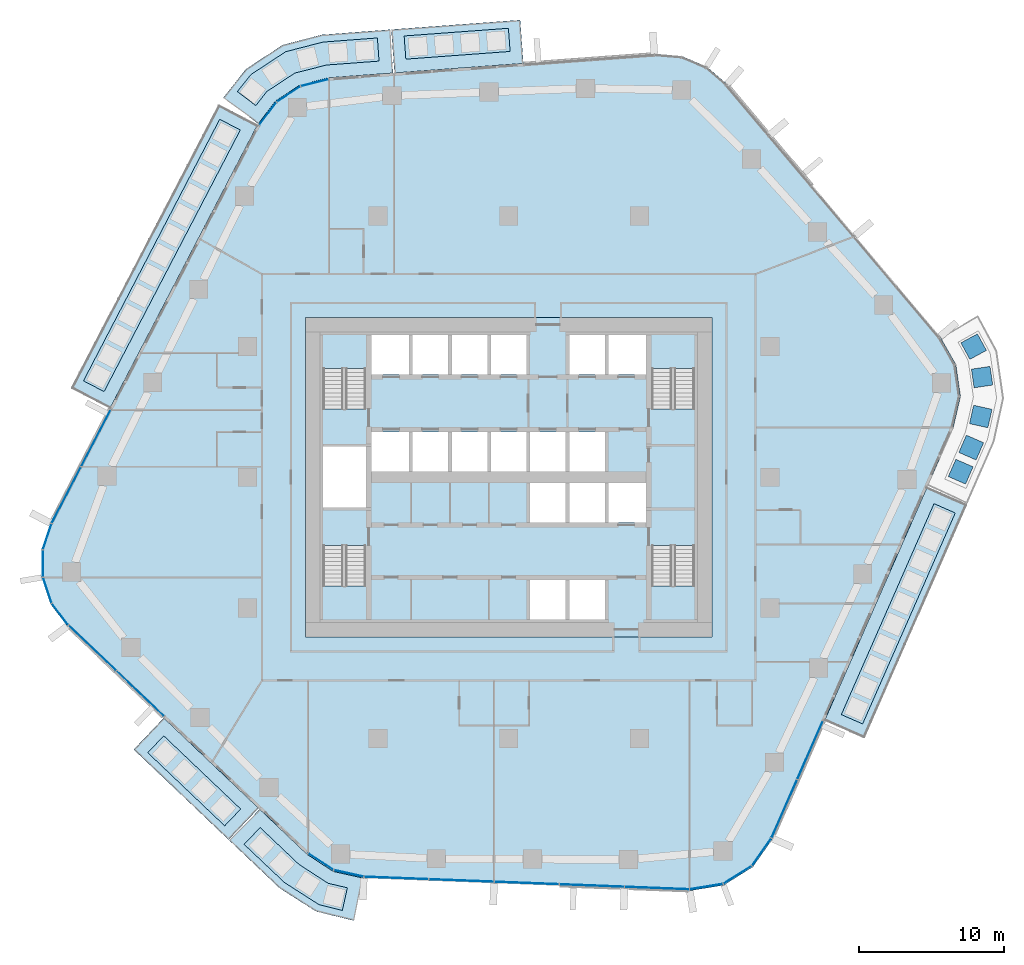
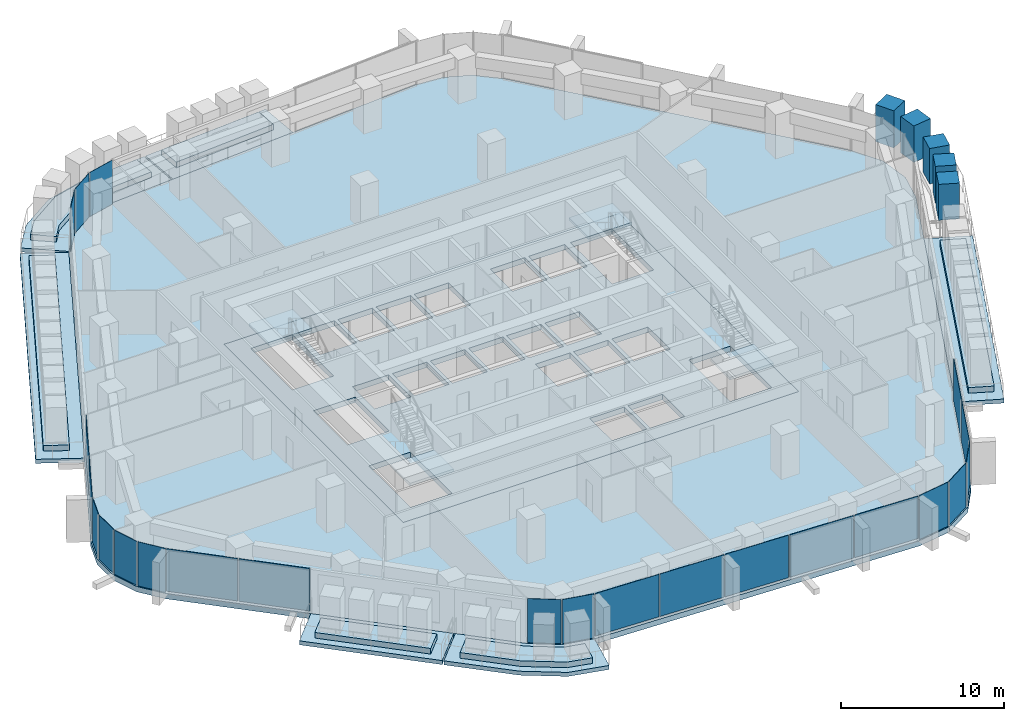
# One storey, part 10 of 23: 23 plates, 18 slabs, 5 members, 12 elements without a shape of their own.
"""IFC4 building model written with IfcOpenShell, lengths in metres."""

from ifc_helpers import new_model, si_unit, direction, frame, origin, origin_2d, place, context, subcontext, project, spatial, polyline, rectangle, outline, extrude, material, layer, layer_set, material_profile, profile_set, type_object, element, aggregate, save


model = new_model("IFC4")

# Units and contexts
model_context = context("Model", 3, precision=1e-05, world=origin(), true_north=direction((0.0, 1.0)))
body_context = subcontext(model_context, "Body", "Model", "MODEL_VIEW")
ifc_project = project(units=[si_unit("LENGTHUNIT", "METRE"), si_unit("AREAUNIT", "SQUARE_METRE"), si_unit("VOLUMEUNIT", "CUBIC_METRE"), si_unit("PLANEANGLEUNIT", "RADIAN"), si_unit("MASSUNIT", "GRAM", prefix="KILO")], contexts=[model_context])

# Site, building, storey
site_placement = place(None, origin())
site = spatial("IfcSite", under=ifc_project, at=site_placement, CompositionType="ELEMENT")
building_placement = place(site_placement, origin())
building = spatial("IfcBuilding", under=site, at=building_placement, Name="Dongbaek Canopy Tower", CompositionType="ELEMENT")
storey_placement = place(building_placement, frame((0.0, 0.0, 132.199951171875)))
storey = spatial("IfcBuildingStorey", under=building, at=storey_placement, Name="L29", CompositionType="ELEMENT", Elevation=132.199951171875)

# Members
ifc_material_1 = material(Name="Concrete C40/50 planter mass with planting", Category="concrete")
ifc_material_profile = material_profile(ifc_material_1, rectangle(XDim=1.300048828125, YDim=1.300048828125, at=origin_2d()), Name="Terrace PLANTER shrub mass 1300 x 1300")
ifc_profile_set = profile_set([ifc_material_profile], Name="Concrete C40/50 planter mass with planting")
member_type = type_object("IfcMemberType", Name="Terrace PLANTER shrub mass 1300 x 1300", PredefinedType="USERDEFINED", material=ifc_profile_set)
member_1_placement = place(storey_placement, frame((31.1435546875, 0.381591796875, 0.420166015625), z_axis=(0.0, 0.0, 1.0), x_axis=(0.916368384555, -0.40033608854, 0.0)))
element("IfcMember", 1, at=member_1_placement, inside=storey, type_object=member_type, Name="Planter shrubs L29 5.1", ObjectType="PLANTER", PredefinedType="USERDEFINED", context=body_context, shape_type="SweptSolid", body=[
    extrude(rectangle(XDim=1.300048828125, YDim=1.300048828125, at=origin_2d()), origin(), (0.0, 0.0, 1.0), 2.68994140625),
])
member_2_placement = place(storey_placement, frame((31.869140625, 2.042724609375, 0.420166015625), z_axis=(0.0, 0.0, 1.0), x_axis=(0.916368384555, -0.40033608854, 0.0)))
element("IfcMember", 2, at=member_2_placement, inside=storey, type_object=member_type, Name="Planter shrubs L29 5.2", ObjectType="PLANTER", PredefinedType="USERDEFINED", context=body_context, shape_type="SweptSolid", body=[
    extrude(rectangle(XDim=1.300048828125, YDim=1.300048828125, at=origin_2d()), origin(), (0.0, 0.0, 1.0), 2.77978515625),
])
member_3_placement = place(storey_placement, frame((32.525146484375, 4.183837890625, 0.420166015625), z_axis=(0.0, 0.0, 1.0), x_axis=(0.975891989306, -0.218254038242, 0.0)))
element("IfcMember", 3, at=member_3_placement, inside=storey, type_object=member_type, Name="Planter shrubs L29 5.3", ObjectType="PLANTER", PredefinedType="USERDEFINED", context=body_context, shape_type="SweptSolid", body=[
    extrude(rectangle(XDim=1.300048828125, YDim=1.300048828125, at=origin_2d()), origin(), (0.0, 0.0, 1.0), 2.64990234375),
])
member_4_placement = place(storey_placement, frame((32.615234375, 6.899658203125, 0.420166015625), z_axis=(0.0, 0.0, 1.0), x_axis=(0.989740633835, 0.142875742295, 0.0)))
element("IfcMember", 4, at=member_4_placement, inside=storey, type_object=member_type, Name="Planter shrubs L29 5.4", ObjectType="PLANTER", PredefinedType="USERDEFINED", context=body_context, shape_type="SweptSolid", body=[
    extrude(rectangle(XDim=1.300048828125, YDim=1.300048828125, at=origin_2d()), origin(), (0.0, 0.0, 1.0), 2.72998046875),
])
member_5_placement = place(storey_placement, frame((32.036376953125, 8.999267578125, 0.420166015625), z_axis=(0.0, 0.0, 1.0), x_axis=(0.879276627689, 0.476311465325, 0.0)))
element("IfcMember", 5, at=member_5_placement, inside=storey, type_object=member_type, Name="Planter shrubs L29 5.5", ObjectType="PLANTER", PredefinedType="USERDEFINED", context=body_context, shape_type="SweptSolid", body=[
    extrude(rectangle(XDim=1.300048828125, YDim=1.300048828125, at=origin_2d()), origin(), (0.0, 0.0, 1.0), 2.77978515625),
])

# Slabs
ifc_material_2 = material(Name="Concrete C40/50", Category="concrete")
ifc_layer_1 = layer(ifc_material_2, 0.300048828125)
ifc_layer_set_1 = layer_set([ifc_layer_1], Name="Balcony slab 300")
slab_type_1 = type_object("IfcSlabType", Name="Balcony slab 300", PredefinedType="FLOOR", material=ifc_layer_set_1)
slab_1_placement = place(storey_placement, frame((0.0, 0.0, -0.300048828125)))
element("IfcSlab", 6, at=slab_1_placement, inside=storey, type_object=slab_type_1, Name="Balcony L29 1", PredefinedType="FLOOR", context=body_context, shape_type="SweptSolid", body=[
    extrude(outline(polyline([(1.007568359375, 28.51513671875), (-7.8740234375, 27.8603515625), (-8.094482421875, 30.852294921875), (0.787109375, 31.507080078125), (1.007568359375, 28.51513671875)])), origin(), (0.0, 0.0, 1.0), 0.300048828125),
])
slab_2_placement = place(storey_placement, frame((0.0, 0.0, -0.300048828125)))
element("IfcSlab", 7, at=slab_2_placement, inside=storey, type_object=slab_type_1, Name="Balcony L29 6", PredefinedType="FLOOR", context=body_context, shape_type="SweptSolid", body=[
    extrude(outline(polyline([(-7.9736328125, 27.85302734375), (-12.41455078125, 27.525634765625), (-14.37939453125, 27.038330078125), (-16.0703125, 25.92529296875), (-17.2646484375, 24.353271484375), (-19.653564453125, 26.16796875), (-18.118896484375, 28.1171875), (-15.582275390625, 29.78662109375), (-12.887451171875, 30.48828125), (-8.1943359375, 30.844970703125), (-7.9736328125, 27.85302734375)])), origin(), (0.0, 0.0, 1.0), 0.300048828125),
])
slab_3_placement = place(storey_placement, frame((0.0, 0.0, -0.300048828125)))
element("IfcSlab", 8, at=slab_3_placement, inside=storey, type_object=slab_type_1, Name="Balcony L29 2", PredefinedType="FLOOR", context=body_context, shape_type="SweptSolid", body=[
    extrude(outline(polyline([(-17.318115234375, 24.26904296875), (-27.489990234375, 4.737548828125), (-30.150634765625, 6.123291015625), (-19.978759765625, 25.65478515625), (-17.318115234375, 24.26904296875)])), origin(), (0.0, 0.0, 1.0), 0.300048828125),
])
slab_4_placement = place(storey_placement, frame((0.0, 0.0, -0.300048828125)))
element("IfcSlab", 9, at=slab_4_placement, inside=storey, type_object=slab_type_1, Name="Balcony L29 3", PredefinedType="FLOOR", context=body_context, shape_type="SweptSolid", body=[
    extrude(outline(polyline([(-23.774169921875, -16.59130859375), (-17.242431640625, -22.805908203125), (-19.310302734375, -24.979248046875), (-25.842041015625, -18.7646484375), (-23.774169921875, -16.59130859375)])), origin(), (0.0, 0.0, 1.0), 0.300048828125),
])
slab_5_placement = place(storey_placement, frame((0.0, 0.0, -0.300048828125)))
element("IfcSlab", 10, at=slab_5_placement, inside=storey, type_object=slab_type_1, Name="Balcony L29 7", PredefinedType="FLOOR", context=body_context, shape_type="SweptSolid", body=[
    extrude(outline(polyline([(-17.169921875, -22.874755859375), (-13.904052734375, -25.982177734375), (-12.102294921875, -27.16259765625), (-10.048583984375, -27.619873046875), (-10.70068359375, -30.54833984375), (-13.269287109375, -29.92626953125), (-15.767578125, -28.3330078125), (-19.23779296875, -25.048095703125), (-17.169921875, -22.874755859375)])), origin(), (0.0, 0.0, 1.0), 0.300048828125),
])
slab_6_placement = place(storey_placement, frame((0.0, 0.0, -0.300048828125)))
element("IfcSlab", 11, at=slab_6_placement, inside=storey, type_object=slab_type_1, Name="Balcony L29 4", PredefinedType="FLOOR", context=body_context, shape_type="SweptSolid", body=[
    extrude(outline(polyline([(21.761962890625, -16.77783203125), (28.8310546875, -0.68505859375), (31.57763671875, -1.8916015625), (24.5087890625, -17.984375), (21.761962890625, -16.77783203125)])), origin(), (0.0, 0.0, 1.0), 0.300048828125),
])

# Curtain wall, plates
ifc_material_3 = material(Name="Aluminium 6063-T6 pale anodised", Category="aluminium")
ifc_layer_2 = layer(ifc_material_3, 0.199951171875)
ifc_layer_set_2 = layer_set([ifc_layer_2], Name="CW-1 unitised tower curtain wall")
curtain_wall_type = type_object("IfcCurtainWallType", Name="CW-1 unitised tower curtain wall", PredefinedType="NOTDEFINED", material=ifc_layer_set_2)
curtain_wall_1_placement = place(storey_placement, origin())
curtain_wall_1 = element("IfcCurtainWall", 12, at=curtain_wall_1_placement, inside=storey, type_object=curtain_wall_type, Name="CW-1 curtain wall K2.1", PredefinedType="NOTDEFINED")
ifc_material_4 = material(Name="Clear laminated glass", Category="glass")
ifc_layer_3 = layer(ifc_material_4, 0.028076171875)
ifc_layer_set_3 = layer_set([ifc_layer_3], Name="CW-1 glazed panel 28")
plate_type = type_object("IfcPlateType", Name="CW-1 glazed panel 28", PredefinedType="CURTAIN_PANEL", material=ifc_layer_set_3)
plate_1_placement = place(storey_placement, frame((-13.36865234375, 27.18603515625, 0.0), z_axis=(0.0, 0.0, 1.0), x_axis=(-0.970597377622, -0.240708808634, 0.0)))
plate_1 = element("IfcPlate", 13, at=plate_1_placement, type_object=plate_type, Name="CW-1 panel K2.1.1.1", PredefinedType="CURTAIN_PANEL", context=body_context, shape_type="SweptSolid", body=[
    extrude(rectangle(XDim=1.914794921875, YDim=0.028076171875, at=origin_2d()), origin(), (0.0, 0.0, 1.0), 3.300048828125),
])
plate_2_placement = place(storey_placement, frame((-15.169921875, 26.3984375, 0.0), z_axis=(0.0, 0.0, 1.0), x_axis=(-0.835300549242, -0.549793590756, 0.0)))
plate_2 = element("IfcPlate", 14, at=plate_2_placement, type_object=plate_type, Name="CW-1 panel K2.1.2.1", PredefinedType="CURTAIN_PANEL", context=body_context, shape_type="SweptSolid", body=[
    extrude(rectangle(XDim=1.90625, YDim=0.028076171875, at=origin_2d()), origin(), (0.0, 0.0, 1.0), 3.300048828125),
])
plate_3_placement = place(storey_placement, frame((-16.60546875, 25.055419921875, 0.0), z_axis=(0.0, 0.0, 1.0), x_axis=(-0.604914247086, -0.796290621364, 0.0)))
plate_3 = element("IfcPlate", 15, at=plate_3_placement, type_object=plate_type, Name="CW-1 panel K2.1.3.1", PredefinedType="CURTAIN_PANEL", context=body_context, shape_type="SweptSolid", body=[
    extrude(rectangle(XDim=1.914794921875, YDim=0.028076171875, at=origin_2d()), origin(), (0.0, 0.0, 1.0), 3.300048828125),
])
aggregate(curtain_wall_1, [plate_1, plate_2, plate_3])

curtain_wall_2_placement = place(storey_placement, origin())
curtain_wall_2 = element("IfcCurtainWall", 16, at=curtain_wall_2_placement, inside=storey, type_object=curtain_wall_type, Name="CW-1 curtain wall F2.1", PredefinedType="NOTDEFINED")
plate_4_placement = place(storey_placement, frame((-28.4462890625, 2.68505859375, 0.1201171875), z_axis=(0.0, 0.0, 1.0), x_axis=(-0.461910135693, -0.886926731215, 0.0)))
plate_4 = element("IfcPlate", 17, at=plate_4_placement, type_object=plate_type, Name="CW-1 panel F2.1.1.1", PredefinedType="CURTAIN_PANEL", context=body_context, shape_type="SweptSolid", body=[
    extrude(rectangle(XDim=4.34033203125, YDim=0.028076171875, at=origin_2d()), origin(), (0.0, 0.0, 1.0), 3.179931640625),
])
plate_5_placement = place(storey_placement, frame((-30.488037109375, -1.2353515625, 0.1201171875), z_axis=(0.0, 0.0, 1.0), x_axis=(-0.461910135693, -0.886926731215, 0.0)))
plate_5 = element("IfcPlate", 18, at=plate_5_placement, type_object=plate_type, Name="CW-1 panel F2.1.2.1", PredefinedType="CURTAIN_PANEL", context=body_context, shape_type="SweptSolid", body=[
    extrude(rectangle(XDim=4.332275390625, YDim=0.028076171875, at=origin_2d()), origin(), (0.0, 0.0, 1.0), 3.179931640625),
])
aggregate(curtain_wall_2, [plate_4, plate_5])

curtain_wall_3_placement = place(storey_placement, origin())
curtain_wall_3 = element("IfcCurtainWall", 19, at=curtain_wall_3_placement, inside=storey, type_object=curtain_wall_type, Name="CW-1 curtain wall K3.1", PredefinedType="NOTDEFINED")
plate_6_placement = place(storey_placement, frame((-31.80615234375, -4.097412109375, 0.0), z_axis=(0.0, 0.0, 1.0), x_axis=(-0.31347024555, -0.949598022931, 0.0)))
plate_6 = element("IfcPlate", 20, at=plate_6_placement, type_object=plate_type, Name="CW-1 panel K3.1.1.1", PredefinedType="CURTAIN_PANEL", context=body_context, shape_type="SweptSolid", body=[
    extrude(rectangle(XDim=1.81884765625, YDim=0.028076171875, at=origin_2d()), origin(), (0.0, 0.0, 1.0), 3.300048828125),
])
plate_7_placement = place(storey_placement, frame((-32.100830078125, -5.9482421875, 0.0), z_axis=(0.0, 0.0, 1.0), x_axis=(0.003759466115, -0.999992933182, 0.0)))
plate_7 = element("IfcPlate", 21, at=plate_7_placement, type_object=plate_type, Name="CW-1 panel K3.1.2.1", PredefinedType="CURTAIN_PANEL", context=body_context, shape_type="SweptSolid", body=[
    extrude(rectangle(XDim=1.810791015625, YDim=0.028076171875, at=origin_2d()), origin(), (0.0, 0.0, 1.0), 3.300048828125),
])
plate_8_placement = place(storey_placement, frame((-31.79345703125, -7.79296875, 0.0), z_axis=(0.0, 0.0, 1.0), x_axis=(0.320601297373, -0.9472142356, 0.0)))
plate_8 = element("IfcPlate", 22, at=plate_8_placement, type_object=plate_type, Name="CW-1 panel K3.1.3.1", PredefinedType="CURTAIN_PANEL", context=body_context, shape_type="SweptSolid", body=[
    extrude(rectangle(XDim=1.810791015625, YDim=0.028076171875, at=origin_2d()), origin(), (0.0, 0.0, 1.0), 3.300048828125),
])
plate_9_placement = place(storey_placement, frame((-30.914794921875, -9.4482421875, 0.0), z_axis=(0.0, 0.0, 1.0), x_axis=(0.604365302334, -0.796707337317, 0.0)))
plate_9 = element("IfcPlate", 23, at=plate_9_placement, type_object=plate_type, Name="CW-1 panel K3.1.4.1", PredefinedType="CURTAIN_PANEL", context=body_context, shape_type="SweptSolid", body=[
    extrude(rectangle(XDim=1.81884765625, YDim=0.028076171875, at=origin_2d()), origin(), (0.0, 0.0, 1.0), 3.300048828125),
])
aggregate(curtain_wall_3, [plate_6, plate_7, plate_8, plate_9])

curtain_wall_4_placement = place(storey_placement, origin())
curtain_wall_4 = element("IfcCurtainWall", 24, at=curtain_wall_4_placement, inside=storey, type_object=curtain_wall_type, Name="CW-1 curtain wall F3.1", PredefinedType="NOTDEFINED")
plate_10_placement = place(storey_placement, frame((-28.691650390625, -11.7744140625, 0.1201171875), z_axis=(0.0, 0.0, 1.0), x_axis=(0.724474243555, -0.689301871769, 0.0)))
plate_10 = element("IfcPlate", 25, at=plate_10_placement, type_object=plate_type, Name="CW-1 panel F3.1.1.1", PredefinedType="CURTAIN_PANEL", context=body_context, shape_type="SweptSolid", body=[
    extrude(rectangle(XDim=4.4658203125, YDim=0.028076171875, at=origin_2d()), origin(), (0.0, 0.0, 1.0), 3.179931640625),
])
plate_11_placement = place(storey_placement, frame((-25.392578125, -14.913330078125, 0.1201171875), z_axis=(0.0, 0.0, 1.0), x_axis=(0.724474243555, -0.689301871769, 0.0)))
plate_11 = element("IfcPlate", 26, at=plate_11_placement, type_object=plate_type, Name="CW-1 panel F3.1.2.1", PredefinedType="CURTAIN_PANEL", context=body_context, shape_type="SweptSolid", body=[
    extrude(rectangle(XDim=4.473876953125, YDim=0.028076171875, at=origin_2d()), origin(), (0.0, 0.0, 1.0), 3.179931640625),
])
aggregate(curtain_wall_4, [plate_10, plate_11])

curtain_wall_5_placement = place(storey_placement, origin())
curtain_wall_5 = element("IfcCurtainWall", 27, at=curtain_wall_5_placement, inside=storey, type_object=curtain_wall_type, Name="CW-1 curtain wall K4.1", PredefinedType="NOTDEFINED")
plate_12_placement = place(storey_placement, frame((-12.9521484375, -26.486328125, 0.0), z_axis=(0.0, 0.0, 1.0), x_axis=(0.83643911964, -0.548059849958, 0.0)))
plate_12 = element("IfcPlate", 28, at=plate_12_placement, type_object=plate_type, Name="CW-1 panel K4.1.1.1", PredefinedType="CURTAIN_PANEL", context=body_context, shape_type="SweptSolid", body=[
    extrude(rectangle(XDim=2.042724609375, YDim=0.028076171875, at=origin_2d()), origin(), (0.0, 0.0, 1.0), 3.300048828125),
])
plate_13_placement = place(storey_placement, frame((-11.02490234375, -27.300048828125, 0.0), z_axis=(0.0, 0.0, 1.0), x_axis=(0.976098056776, -0.21733058588, 0.0)))
plate_13 = element("IfcPlate", 29, at=plate_13_placement, type_object=plate_type, Name="CW-1 panel K4.1.2.1", PredefinedType="CURTAIN_PANEL", context=body_context, shape_type="SweptSolid", body=[
    extrude(rectangle(XDim=2.042724609375, YDim=0.028076171875, at=origin_2d()), origin(), (0.0, 0.0, 1.0), 3.300048828125),
])
aggregate(curtain_wall_5, [plate_12, plate_13])

curtain_wall_6_placement = place(storey_placement, origin())
curtain_wall_6 = element("IfcCurtainWall", 30, at=curtain_wall_6_placement, inside=storey, type_object=curtain_wall_type, Name="CW-1 curtain wall F4.1", PredefinedType="NOTDEFINED")
plate_14_placement = place(storey_placement, frame((-7.7451171875, -27.61767578125, 0.1201171875), z_axis=(0.0, 0.0, 1.0), x_axis=(0.999255235504, -0.038587229989, 0.0)))
plate_14 = element("IfcPlate", 31, at=plate_14_placement, type_object=plate_type, Name="CW-1 panel F4.1.1.1", PredefinedType="CURTAIN_PANEL", context=body_context, shape_type="SweptSolid", body=[
    extrude(rectangle(XDim=4.40283203125, YDim=0.028076171875, at=origin_2d()), origin(), (0.0, 0.0, 1.0), 3.179931640625),
])
plate_15_placement = place(storey_placement, frame((-3.25732421875, -27.791015625, 0.1201171875), z_axis=(0.0, 0.0, 1.0), x_axis=(0.999255235504, -0.038587229989, 0.0)))
plate_15 = element("IfcPlate", 32, at=plate_15_placement, type_object=plate_type, Name="CW-1 panel F4.1.2.1", PredefinedType="CURTAIN_PANEL", context=body_context, shape_type="SweptSolid", body=[
    extrude(rectangle(XDim=4.411865234375, YDim=0.028076171875, at=origin_2d()), origin(), (0.0, 0.0, 1.0), 3.179931640625),
])
plate_16_placement = place(storey_placement, frame((1.235107421875, -27.964599609375, 0.1201171875), z_axis=(0.0, 0.0, 1.0), x_axis=(0.999255235504, -0.038587229989, 0.0)))
plate_16 = element("IfcPlate", 33, at=plate_16_placement, type_object=plate_type, Name="CW-1 panel F4.1.3.1", PredefinedType="CURTAIN_PANEL", context=body_context, shape_type="SweptSolid", body=[
    extrude(rectangle(XDim=4.411865234375, YDim=0.028076171875, at=origin_2d()), origin(), (0.0, 0.0, 1.0), 3.179931640625),
])
plate_17_placement = place(storey_placement, frame((5.7275390625, -28.137939453125, 0.1201171875), z_axis=(0.0, 0.0, 1.0), x_axis=(0.999255235504, -0.038587229989, 0.0)))
plate_17 = element("IfcPlate", 34, at=plate_17_placement, type_object=plate_type, Name="CW-1 panel F4.1.4.1", PredefinedType="CURTAIN_PANEL", context=body_context, shape_type="SweptSolid", body=[
    extrude(rectangle(XDim=4.411865234375, YDim=0.028076171875, at=origin_2d()), origin(), (0.0, 0.0, 1.0), 3.179931640625),
])
plate_18_placement = place(storey_placement, frame((10.215087890625, -28.311279296875, 0.1201171875), z_axis=(0.0, 0.0, 1.0), x_axis=(0.999255235504, -0.038587229989, 0.0)))
plate_18 = element("IfcPlate", 35, at=plate_18_placement, type_object=plate_type, Name="CW-1 panel F4.1.5.1", PredefinedType="CURTAIN_PANEL", context=body_context, shape_type="SweptSolid", body=[
    extrude(rectangle(XDim=4.40185546875, YDim=0.028076171875, at=origin_2d()), origin(), (0.0, 0.0, 1.0), 3.179931640625),
])
aggregate(curtain_wall_6, [plate_14, plate_15, plate_16, plate_17, plate_18])

curtain_wall_7_placement = place(storey_placement, origin())
curtain_wall_7 = element("IfcCurtainWall", 36, at=curtain_wall_7_placement, inside=storey, type_object=curtain_wall_type, Name="CW-1 curtain wall K5.1", PredefinedType="NOTDEFINED")
plate_19_placement = place(storey_placement, frame((13.61376953125, -28.21044921875, 0.0), z_axis=(0.0, 0.0, 1.0), x_axis=(0.987122987315, 0.159963145489, 0.0)))
plate_19 = element("IfcPlate", 37, at=plate_19_placement, type_object=plate_type, Name="CW-1 panel K5.1.1.1", PredefinedType="CURTAIN_PANEL", context=body_context, shape_type="SweptSolid", body=[
    extrude(rectangle(XDim=2.260986328125, YDim=0.028076171875, at=origin_2d()), origin(), (0.0, 0.0, 1.0), 3.300048828125),
])
plate_20_placement = place(storey_placement, frame((15.7607421875, -27.403564453125, 0.0), z_axis=(0.0, 0.0, 1.0), x_axis=(0.847704415515, 0.53046887177, 0.0)))
plate_20 = element("IfcPlate", 38, at=plate_20_placement, type_object=plate_type, Name="CW-1 panel K5.1.2.1", PredefinedType="CURTAIN_PANEL", context=body_context, shape_type="SweptSolid", body=[
    extrude(rectangle(XDim=2.250732421875, YDim=0.028076171875, at=origin_2d()), origin(), (0.0, 0.0, 1.0), 3.300048828125),
])
plate_21_placement = place(storey_placement, frame((17.425048828125, -25.8251953125, 0.0), z_axis=(0.0, 0.0, 1.0), x_axis=(0.575440362744, 0.817843743587, 0.0)))
plate_21 = element("IfcPlate", 39, at=plate_21_placement, type_object=plate_type, Name="CW-1 panel K5.1.3.1", PredefinedType="CURTAIN_PANEL", context=body_context, shape_type="SweptSolid", body=[
    extrude(rectangle(XDim=2.260986328125, YDim=0.028076171875, at=origin_2d()), origin(), (0.0, 0.0, 1.0), 3.300048828125),
])
aggregate(curtain_wall_7, [plate_19, plate_20, plate_21])

curtain_wall_8_placement = place(storey_placement, origin())
curtain_wall_8 = element("IfcCurtainWall", 40, at=curtain_wall_8_placement, inside=storey, type_object=curtain_wall_type, Name="CW-1 curtain wall F5.1", PredefinedType="NOTDEFINED")
plate_22_placement = place(storey_placement, frame((18.986572265625, -22.847900390625, 0.1201171875), z_axis=(0.0, 0.0, 1.0), x_axis=(0.402176063698, 0.915562348389, 0.0)))
plate_22 = element("IfcPlate", 41, at=plate_22_placement, type_object=plate_type, Name="CW-1 panel F5.1.1.1", PredefinedType="CURTAIN_PANEL", context=body_context, shape_type="SweptSolid", body=[
    extrude(rectangle(XDim=4.3251953125, YDim=0.028076171875, at=origin_2d()), origin(), (0.0, 0.0, 1.0), 3.179931640625),
])
plate_23_placement = place(storey_placement, frame((20.76171875, -18.806396484375, 0.1201171875), z_axis=(0.0, 0.0, 1.0), x_axis=(0.402176063698, 0.915562348389, 0.0)))
plate_23 = element("IfcPlate", 42, at=plate_23_placement, type_object=plate_type, Name="CW-1 panel F5.1.2.1", PredefinedType="CURTAIN_PANEL", context=body_context, shape_type="SweptSolid", body=[
    extrude(rectangle(XDim=4.335205078125, YDim=0.028076171875, at=origin_2d()), origin(), (0.0, 0.0, 1.0), 3.179931640625),
])
aggregate(curtain_wall_8, [plate_22, plate_23])

# Slab
ifc_material_5 = material(Name="Concrete C40/50", Category="concrete")
ifc_layer_4 = layer(ifc_material_5, 0.39990234375)
ifc_layer_set_4 = layer_set([ifc_layer_4], Name="Core floor slab 400 Concrete C40/50")
slab_type_2 = type_object("IfcSlabType", Name="Core floor slab 400 Concrete C40/50", PredefinedType="FLOOR", material=ifc_layer_set_4)
slab_7_placement = place(storey_placement, frame((0.0, 0.0, -0.39990234375)))
element("IfcSlab", 43, at=slab_7_placement, inside=storey, type_object=slab_type_2, Name="Core floor slab L29", PredefinedType="FLOOR", context=body_context, shape_type="SweptSolid", body=[
    extrude(outline(polyline([(14.0, -11.0), (14.0, 11.0), (-14.0, 11.0), (-14.0, -11.0), (14.0, -11.0)]), holes=[polyline([(-12.800048828125, 2.10009765625), (-9.85009765625, 2.10009765625), (-9.85009765625, -2.10009765625), (-12.800048828125, -2.10009765625), (-12.800048828125, 2.10009765625)]), polyline([(-6.875, 9.800048828125), (-6.875, 7.074951171875), (-9.449951171875, 7.074951171875), (-9.449951171875, 9.800048828125), (-6.875, 9.800048828125)]), polyline([(-4.175048828125, 9.800048828125), (-4.175048828125, 7.074951171875), (-6.625, 7.074951171875), (-6.625, 9.800048828125), (-4.175048828125, 9.800048828125)]), polyline([(-1.47509765625, 9.800048828125), (-1.47509765625, 7.074951171875), (-3.925048828125, 7.074951171875), (-3.925048828125, 9.800048828125), (-1.47509765625, 9.800048828125)]), polyline([(1.22509765625, 9.800048828125), (1.22509765625, 7.074951171875), (-1.22509765625, 7.074951171875), (-1.22509765625, 9.800048828125), (1.22509765625, 9.800048828125)]), polyline([(6.625, 9.800048828125), (6.625, 7.074951171875), (4.175048828125, 7.074951171875), (4.175048828125, 9.800048828125), (6.625, 9.800048828125)]), polyline([(9.449951171875, 7.074951171875), (6.875, 7.074951171875), (6.875, 9.800048828125), (9.449951171875, 9.800048828125), (9.449951171875, 7.074951171875)]), polyline([(-9.449951171875, 3.125), (-6.875, 3.125), (-6.875, 0.39990234375), (-9.449951171875, 0.39990234375), (-9.449951171875, 3.125)]), polyline([(-6.625, 3.125), (-4.175048828125, 3.125), (-4.175048828125, 0.39990234375), (-6.625, 0.39990234375), (-6.625, 3.125)]), polyline([(-3.925048828125, 3.125), (-1.47509765625, 3.125), (-1.47509765625, 0.39990234375), (-3.925048828125, 0.39990234375), (-3.925048828125, 3.125)]), polyline([(1.22509765625, 3.125), (1.22509765625, 0.39990234375), (-1.22509765625, 0.39990234375), (-1.22509765625, 3.125), (1.22509765625, 3.125)]), polyline([(1.47509765625, 3.125), (3.925048828125, 3.125), (3.925048828125, 0.39990234375), (1.47509765625, 0.39990234375), (1.47509765625, 3.125)]), polyline([(4.175048828125, 3.125), (6.625, 3.125), (6.625, 0.39990234375), (4.175048828125, 0.39990234375), (4.175048828125, 3.125)]), polyline([(1.47509765625, -0.39990234375), (3.925048828125, -0.39990234375), (3.925048828125, -3.125), (1.47509765625, -3.125), (1.47509765625, -0.39990234375)]), polyline([(4.175048828125, -0.39990234375), (6.625, -0.39990234375), (6.625, -3.125), (4.175048828125, -3.125), (4.175048828125, -0.39990234375)]), polyline([(9.449951171875, -3.125), (6.875, -3.125), (6.875, -0.39990234375), (9.449951171875, -0.39990234375), (9.449951171875, -3.125)]), polyline([(1.47509765625, -9.800048828125), (1.47509765625, -7.074951171875), (3.925048828125, -7.074951171875), (3.925048828125, -9.800048828125), (1.47509765625, -9.800048828125)]), polyline([(4.175048828125, -9.800048828125), (4.175048828125, -7.074951171875), (6.625, -7.074951171875), (6.625, -9.800048828125), (4.175048828125, -9.800048828125)]), polyline([(12.800048828125, 4.70068359375), (12.800048828125, 9.800048828125), (9.85009765625, 9.800048828125), (9.85009765625, 4.70068359375), (12.800048828125, 4.70068359375)]), polyline([(-9.85009765625, 4.70068359375), (-9.85009765625, 9.800048828125), (-12.800048828125, 9.800048828125), (-12.800048828125, 4.70068359375), (-9.85009765625, 4.70068359375)]), polyline([(9.85009765625, -4.70068359375), (9.85009765625, -9.800048828125), (12.800048828125, -9.800048828125), (12.800048828125, -4.70068359375), (9.85009765625, -4.70068359375)]), polyline([(-12.800048828125, -4.70068359375), (-12.800048828125, -9.800048828125), (-9.85009765625, -9.800048828125), (-9.85009765625, -4.70068359375), (-12.800048828125, -4.70068359375)])]), origin(), (0.0, 0.0, 1.0), 0.39990234375),
])

# Stair, slab
ifc_material_6 = material(Name="Concrete C40/50", Category="concrete")
stair_type = type_object("IfcStairType", Name="Core exit stair", PredefinedType="HALF_TURN_STAIR", material=ifc_material_6)
stair_1_placement = place(storey_placement, origin())
stair_1 = element("IfcStair", 44, at=stair_1_placement, inside=storey, type_object=stair_type, Name="L29 exit stair A", PredefinedType="HALF_TURN_STAIR")
ifc_material_7 = material(Name="Concrete C40/50", Category="concrete")
ifc_layer_5 = layer(ifc_material_7, 0.199951171875)
ifc_layer_set_5 = layer_set([ifc_layer_5], Name="Core stair landing 200")
slab_type_3 = type_object("IfcSlabType", Name="Core stair landing 200", PredefinedType="LANDING", material=ifc_layer_set_5)
slab_8_placement = place(storey_placement, frame((0.0, 0.0, 1.650146484375)))
slab_8 = element("IfcSlab", 45, at=slab_8_placement, type_object=slab_type_3, Name="ST-A landing 1", PredefinedType="LANDING", context=body_context, shape_type="SweptSolid", body=[
    extrude(outline(polyline([(12.875, 7.5), (12.875, 9.875), (9.77490234375, 9.875), (9.77490234375, 7.5), (12.875, 7.5)])), origin(), (0.0, 0.0, 1.0), 0.199951171875),
])
aggregate(stair_1, [slab_8])

stair_2_placement = place(storey_placement, origin())
stair_2 = element("IfcStair", 46, at=stair_2_placement, inside=storey, type_object=stair_type, Name="L29 exit stair C", PredefinedType="HALF_TURN_STAIR")
slab_9_placement = place(storey_placement, frame((0.0, 0.0, 1.650146484375)))
slab_9 = element("IfcSlab", 47, at=slab_9_placement, type_object=slab_type_3, Name="ST-C landing 1", PredefinedType="LANDING", context=body_context, shape_type="SweptSolid", body=[
    extrude(outline(polyline([(-9.77490234375, 7.5), (-9.77490234375, 9.875), (-12.875, 9.875), (-12.875, 7.5), (-9.77490234375, 7.5)])), origin(), (0.0, 0.0, 1.0), 0.199951171875),
])
aggregate(stair_2, [slab_9])

stair_3_placement = place(storey_placement, origin())
stair_3 = element("IfcStair", 48, at=stair_3_placement, inside=storey, type_object=stair_type, Name="L29 exit stair B", PredefinedType="HALF_TURN_STAIR")
slab_10_placement = place(storey_placement, frame((0.0, 0.0, 1.650146484375)))
slab_10 = element("IfcSlab", 49, at=slab_10_placement, type_object=slab_type_3, Name="ST-B landing 1", PredefinedType="LANDING", context=body_context, shape_type="SweptSolid", body=[
    extrude(outline(polyline([(9.77490234375, -7.5), (9.77490234375, -9.875), (12.875, -9.875), (12.875, -7.5), (9.77490234375, -7.5)])), origin(), (0.0, 0.0, 1.0), 0.199951171875),
])
aggregate(stair_3, [slab_10])

stair_4_placement = place(storey_placement, origin())
stair_4 = element("IfcStair", 50, at=stair_4_placement, inside=storey, type_object=stair_type, Name="L29 exit stair D", PredefinedType="HALF_TURN_STAIR")
slab_11_placement = place(storey_placement, frame((0.0, 0.0, 1.650146484375)))
slab_11 = element("IfcSlab", 51, at=slab_11_placement, type_object=slab_type_3, Name="ST-D landing 1", PredefinedType="LANDING", context=body_context, shape_type="SweptSolid", body=[
    extrude(outline(polyline([(-12.875, -7.5), (-12.875, -9.875), (-9.77490234375, -9.875), (-9.77490234375, -7.5), (-12.875, -7.5)])), origin(), (0.0, 0.0, 1.0), 0.199951171875),
])
aggregate(stair_4, [slab_11])

# Slabs
ifc_material_8 = material(Name="Concrete C40", Category="concrete")
ifc_layer_6 = layer(ifc_material_8, 0.39990234375)
ifc_layer_set_6 = layer_set([ifc_layer_6], Name="RC FLAT PLATE 400 Concrete C40")
slab_type_4 = type_object("IfcSlabType", Name="RC FLAT PLATE 400 Concrete C40", PredefinedType="FLOOR", material=ifc_layer_set_6)
slab_12_placement = place(storey_placement, frame((0.0, 0.0, -0.39990234375)))
element("IfcSlab", 52, at=slab_12_placement, inside=storey, type_object=slab_type_4, Name="SLAB:L29", PredefinedType="FLOOR", context=body_context, shape_type="SweptSolid", body=[
    extrude(outline(polyline([(18.1875, -24.915771484375), (16.820556640625, -26.8583984375), (14.80712890625, -28.118408203125), (12.46240234375, -28.498291015625), (-9.999755859375, -27.630859375), (-12.102294921875, -27.16259765625), (-13.904052734375, -25.982177734375), (-30.41455078125, -10.273193359375), (-31.579345703125, -8.73779296875), (-32.197265625, -6.912109375), (-32.20458984375, -4.985107421875), (-31.600341796875, -3.15478515625), (-17.294921875, 24.3134765625), (-16.0703125, 25.92529296875), (-14.37939453125, 27.038330078125), (-12.41455078125, 27.525634765625), (10.038818359375, 29.180908203125), (11.911865234375, 29.023681640625), (13.64453125, 28.294677734375), (15.06640625, 27.065185546875), (29.7216796875, 9.68798828125), (30.81298828125, 7.759033203125), (31.129638671875, 5.565673828125), (30.62841796875, 3.40673828125), (18.1875, -24.915771484375)]), holes=[polyline([(14.0, 11.0), (-14.0, 11.0), (-14.0, -11.0), (14.0, -11.0), (14.0, 11.0)])]), origin(), (0.0, 0.0, 1.0), 0.39990234375),
])
ifc_material_9 = material(Name="Reinforced concrete C40/50 planter box with soil", Category="concrete")
ifc_layer_7 = layer(ifc_material_9, 0.419921875)
ifc_layer_set_7 = layer_set([ifc_layer_7], Name="Terrace planter box 1600 x 420")
slab_type_5 = type_object("IfcSlabType", Name="Terrace planter box 1600 x 420", PredefinedType="USERDEFINED", material=ifc_layer_set_7)
slab_13_placement = place(storey_placement, origin())
element("IfcSlab", 53, at=slab_13_placement, inside=storey, type_object=slab_type_5, Name="Balcony planter L29 1", ObjectType="PLANTER", PredefinedType="USERDEFINED", context=body_context, shape_type="SweptSolid", body=[
    extrude(outline(polyline([(0.094482421875, 29.34033203125), (-7.091796875, 28.810546875), (-7.209228515625, 30.40625), (-0.023193359375, 30.93603515625), (0.094482421875, 29.34033203125)])), origin(), (0.0, 0.0, 1.0), 0.420166015625),
])
slab_14_placement = place(storey_placement, origin())
element("IfcSlab", 54, at=slab_14_placement, inside=storey, type_object=slab_type_5, Name="Balcony planter L29 6", ObjectType="PLANTER", PredefinedType="USERDEFINED", context=body_context, shape_type="SweptSolid", body=[
    extrude(outline(polyline([(-8.936767578125, 28.674560546875), (-12.5546875, 28.404541015625), (-14.736328125, 27.853759765625), (-16.677978515625, 26.57568359375), (-17.428955078125, 25.608154296875), (-18.702880859375, 26.576171875), (-17.7705078125, 27.74462890625), (-15.3779296875, 29.3193359375), (-12.80712890625, 29.984619140625), (-9.05419921875, 30.270263671875), (-8.936767578125, 28.674560546875)])), origin(), (0.0, 0.0, 1.0), 0.420166015625),
])
slab_15_placement = place(storey_placement, origin())
element("IfcSlab", 55, at=slab_15_placement, inside=storey, type_object=slab_type_5, Name="Balcony planter L29 2", ObjectType="PLANTER", PredefinedType="USERDEFINED", context=body_context, shape_type="SweptSolid", body=[
    extrude(outline(polyline([(-18.5, 23.92626953125), (-27.88671875, 5.902587890625), (-29.305908203125, 6.6416015625), (-19.919189453125, 24.665283203125), (-18.5, 23.92626953125)])), origin(), (0.0, 0.0, 1.0), 0.420166015625),
])
slab_16_placement = place(storey_placement, origin())
element("IfcSlab", 56, at=slab_16_placement, inside=storey, type_object=slab_type_5, Name="Balcony planter L29 3", ObjectType="PLANTER", PredefinedType="USERDEFINED", context=body_context, shape_type="SweptSolid", body=[
    extrude(outline(polyline([(-23.771728515625, -17.82177734375), (-18.4716796875, -22.86474609375), (-19.574462890625, -24.02392578125), (-24.874755859375, -18.98095703125), (-23.771728515625, -17.82177734375)])), origin(), (0.0, 0.0, 1.0), 0.420166015625),
])
slab_17_placement = place(storey_placement, origin())
element("IfcSlab", 57, at=slab_17_placement, inside=storey, type_object=slab_type_5, Name="Balcony planter L29 7", ObjectType="PLANTER", PredefinedType="USERDEFINED", context=body_context, shape_type="SweptSolid", body=[
    extrude(outline(polyline([(-17.13134765625, -24.139892578125), (-14.45703125, -26.679443359375), (-12.448486328125, -27.982666015625), (-11.12060546875, -28.29296875), (-11.46826171875, -29.854736328125), (-13.071044921875, -29.45654296875), (-15.450927734375, -27.933349609375), (-18.234375, -25.299072265625), (-17.13134765625, -24.139892578125)])), origin(), (0.0, 0.0, 1.0), 0.420166015625),
])
slab_18_placement = place(storey_placement, origin())
element("IfcSlab", 58, at=slab_18_placement, inside=storey, type_object=slab_type_5, Name="Balcony planter L29 4", ObjectType="PLANTER", PredefinedType="USERDEFINED", context=body_context, shape_type="SweptSolid", body=[
    extrude(outline(polyline([(22.918701171875, -16.357421875), (29.303955078125, -1.8212890625), (30.76904296875, -2.46484375), (24.3837890625, -17.0009765625), (22.918701171875, -16.357421875)])), origin(), (0.0, 0.0, 1.0), 0.420166015625),
])

save(model, "model.ifc")
